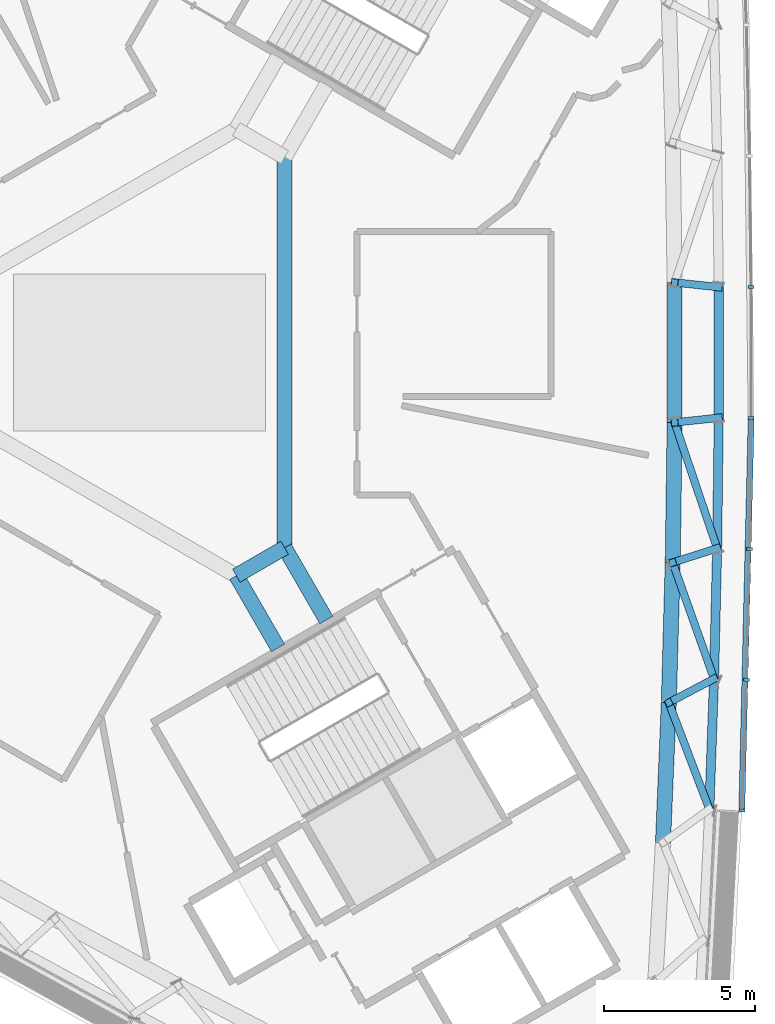
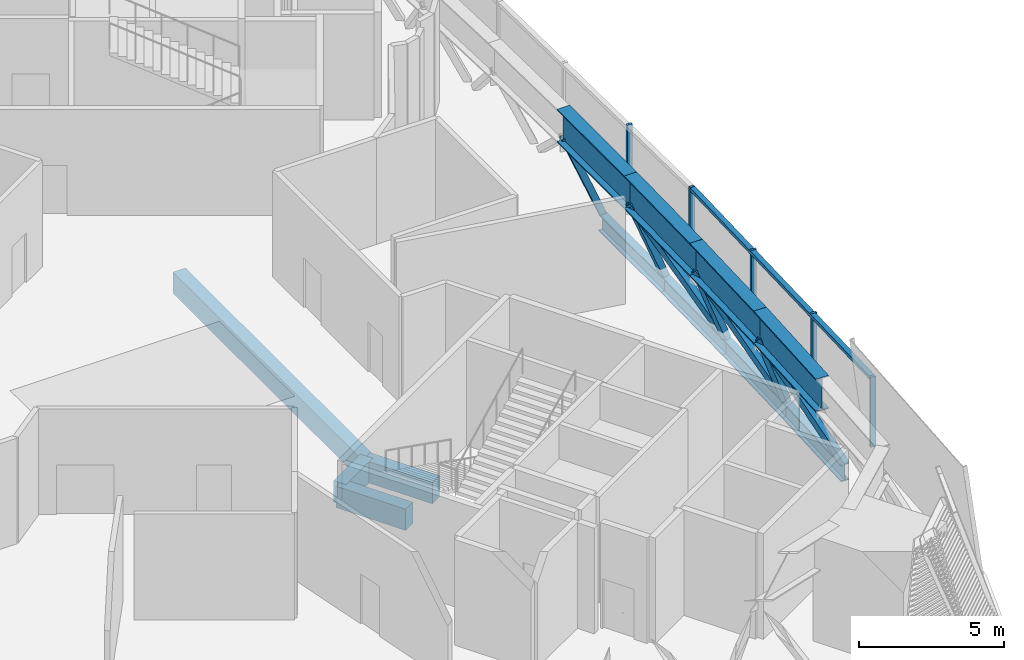
# One storey, part 2 of 18: 13 members, 12 beams, 1 element without a shape of its own.
"""IFC4 building model written with IfcOpenShell, lengths in metres."""

import ifcopenshell
import ifcopenshell.guid

model = None  # the IFC model being written
_history = None  # IfcOwnerHistory: only IFC2X3 demands one
_inside = {}  # id of a spatial element -> (the spatial element, [elements in it])
_under = {}  # id of a project, library or spatial element -> (it, [spatial elements below it])
_declared = {}  # id of a project -> (the project, [libraries it declares])
_typed = {}  # id of a type object -> (the type object, [elements of that type])
_made_of = {}  # id of a material, layer set ... -> (it, [elements and type objects made of it])


def new_model(schema):
    """Start an empty IFC model of exactly this schema.

    Asked for "IFC4X3", IfcOpenShell would pick the latest addendum, in which some entities
    have other attributes; the version numbers below select the first issue.
    IFC2X3 requires an IfcOwnerHistory on every rooted entity: one is made here for all.
    """
    global model, _history
    if schema == "IFC4X3":
        model = ifcopenshell.file(schema_version=(4, 3, 0, 0))
    else:
        model = ifcopenshell.file(schema=schema)
    _inside.clear()
    _under.clear()
    _declared.clear()
    _typed.clear()
    _made_of.clear()
    _history = None
    if model.schema == "IFC2X3":
        org = make("IfcOrganization", Name="unknown")
        user = make(
            "IfcPersonAndOrganization",
            ThePerson=make("IfcPerson", FamilyName="unknown"),
            TheOrganization=org,
        )
        app = make(
            "IfcApplication",
            ApplicationDeveloper=org,
            Version="unknown",
            ApplicationFullName="unknown",
            ApplicationIdentifier="unknown",
        )
        _history = make(
            "IfcOwnerHistory",
            OwningUser=user,
            OwningApplication=app,
            ChangeAction="ADDED",
            CreationDate=0,
        )
    return model


def make(cls, **values):
    """One entity of the class cls with the attributes given. An attribute that is None is left unset."""
    return model.create_entity(
        cls, **{name: value for name, value in values.items() if value is not None}
    )


def rooted(cls, **values):
    """An entity with a GlobalId (a new one), such as an element, a storey or a relation."""
    return make(cls, GlobalId=ifcopenshell.guid.new(), OwnerHistory=_history, **values)


def si_unit(unit_type, name, prefix=None):
    """IfcSIUnit, for example si_unit("LENGTHUNIT", "METRE", prefix="MILLI")."""
    return make("IfcSIUnit", UnitType=unit_type, Prefix=prefix, Name=name)


def assignment(units):
    """IfcUnitAssignment: the units of a project."""
    return None if units is None else make("IfcUnitAssignment", Units=units)


def point(xyz):
    """IfcCartesianPoint."""
    return None if xyz is None else make("IfcCartesianPoint", Coordinates=xyz)


def direction(xyz):
    """IfcDirection."""
    return None if xyz is None else make("IfcDirection", DirectionRatios=xyz)


def frame(location, z_axis=None, x_axis=None):
    """IfcAxis2Placement3D, a coordinate frame: its origin and axes. An axis left out is left unset."""
    return make(
        "IfcAxis2Placement3D",
        Location=point(location),
        Axis=direction(z_axis),
        RefDirection=direction(x_axis),
    )


def frame_2d(location, x_axis=None):
    """IfcAxis2Placement2D, a coordinate frame in the plane: its origin and x axis."""
    return make(
        "IfcAxis2Placement2D", Location=point(location), RefDirection=direction(x_axis)
    )


def origin():
    """The frame at (0, 0, 0) with its axes left unset."""
    return frame((0.0, 0.0, 0.0))


def origin_2d():
    """The frame at (0, 0) in the plane with its x axis left unset."""
    return frame_2d((0.0, 0.0))


def place(relative_to, where):
    """IfcLocalPlacement: puts the frame where relative to a parent placement (None: the world)."""
    return make(
        "IfcLocalPlacement", PlacementRelTo=relative_to, RelativePlacement=where
    )


def context(
    kind, dimensions, precision=None, world=None, true_north=None, identifier=None
):
    """IfcGeometricRepresentationContext, for example the 3D "Model" context."""
    return make(
        "IfcGeometricRepresentationContext",
        ContextIdentifier=identifier,
        ContextType=kind,
        CoordinateSpaceDimension=dimensions,
        Precision=precision,
        WorldCoordinateSystem=world,
        TrueNorth=true_north,
    )


def subcontext(parent, identifier, kind, view, scale=None):
    """IfcGeometricRepresentationSubContext, for example "Body" below "Model"."""
    return make(
        "IfcGeometricRepresentationSubContext",
        ContextIdentifier=identifier,
        ContextType=kind,
        ParentContext=parent,
        TargetScale=scale,
        TargetView=view,
    )


def project(units=None, contexts=None):
    """IfcProject with its units and contexts."""
    return rooted(
        "IfcProject",
        Name="project",
        RepresentationContexts=contexts,
        UnitsInContext=assignment(units),
    )


def spatial(cls, under=None, at=None, **own):
    """A site, building, storey or space (cls), placed at a placement, below another one or the project."""
    s = rooted(cls, ObjectPlacement=at, **own)
    if under is not None:
        _under.setdefault(under.id(), (under, []))[1].append(s)
    return s


def profile(cls, at=None, kind="AREA", **sizes):
    """A parametric profile (cls). Its sizes go by their IFC names, for example OverallWidth=200.0."""
    return make(cls, ProfileType=kind, Position=at, **sizes)


def rectangle(**sizes):
    """IfcRectangleProfileDef."""
    return profile("IfcRectangleProfileDef", **sizes)


def hollow_rectangle(**sizes):
    """IfcRectangleHollowProfileDef."""
    return profile("IfcRectangleHollowProfileDef", **sizes)


def i_section(**sizes):
    """IfcIShapeProfileDef."""
    return profile("IfcIShapeProfileDef", **sizes)


def extrude(swept, where, along, depth):
    """IfcExtrudedAreaSolid: the profile swept, set in the frame where, extruded along a direction by depth."""
    return make(
        "IfcExtrudedAreaSolid",
        SweptArea=swept,
        Position=where,
        ExtrudedDirection=direction(along),
        Depth=depth,
    )


def shape(context_of_items, identifier, shape_type, items):
    """IfcShapeRepresentation: the items that make up one representation, for example the "Body"."""
    return make(
        "IfcShapeRepresentation",
        ContextOfItems=context_of_items,
        RepresentationIdentifier=identifier,
        RepresentationType=shape_type,
        Items=items,
    )


def material(Name=None, Category=None):
    """IfcMaterial."""
    return make("IfcMaterial", Name=Name, Category=Category)


def material_profile(
    of_material, cross_section, Name=None, Category=None, Priority=None
):
    """IfcMaterialProfile: a cross section and its material."""
    return make(
        "IfcMaterialProfile",
        Name=Name,
        Material=of_material,
        Profile=cross_section,
        Priority=Priority,
        Category=Category,
    )


def profile_set(profiles, Name=None, composite=None):
    """IfcMaterialProfileSet."""
    return make(
        "IfcMaterialProfileSet",
        Name=Name,
        MaterialProfiles=profiles,
        CompositeProfile=composite,
    )


def made_of(thing, what):
    """Note that an element or type object is made of a material, layer set ...; save() writes the relation."""
    if what is not None:
        _made_of.setdefault(what.id(), (what, []))[1].append(thing)
    return thing


def type_object(cls, material=None, **own):
    """A type object (cls), such as IfcWallType, which elements share."""
    return made_of(rooted(cls, **own), material)


def element(
    cls,
    number,
    at=None,
    inside=None,
    cuts=None,
    type_object=None,
    material=None,
    context=None,
    identifier="Body",
    shape_type=None,
    held_by="IfcProductDefinitionShape",
    body=None,
    shapes=None,
    **own,
):
    """One element of the class cls, such as IfcWall. Its Tag is "e" and its number.

    at: its placement. inside: the storey or other place that contains it. cuts: it is an
    opening in that element (IfcRelVoidsElement). A single representation is given by context,
    identifier, shape_type and body (its items); several are given by shapes. held_by: the class
    of the entity that holds the representations. save() writes the other relations.
    """
    e = rooted(cls, Tag="e%d" % number, ObjectPlacement=at, **own)
    if body is not None:
        shapes = [shape(context, identifier, shape_type, body)]
    if shapes is not None:
        e.Representation = make(held_by, Representations=shapes)
    if inside is not None:
        _inside.setdefault(inside.id(), (inside, []))[1].append(e)
    if cuts is not None:
        rooted(
            "IfcRelVoidsElement", RelatingBuildingElement=cuts, RelatedOpeningElement=e
        )
    if type_object is not None:
        _typed.setdefault(type_object.id(), (type_object, []))[1].append(e)
    return made_of(e, material)


def aggregate(whole, parts):
    """IfcRelAggregates: a whole, such as a stair, and the parts it consists of."""
    return rooted("IfcRelAggregates", RelatingObject=whole, RelatedObjects=parts)


def save(model, path):
    """Write the relations noted so far, then the file.

    IfcRelAggregates (storeys below a building ...), IfcRelContainedInSpatialStructure (elements
    in a storey), IfcRelDefinesByType, IfcRelAssociatesMaterial and IfcRelDeclares: one each for
    every whole, place, type object, material and project.
    """
    for whole, parts in _under.values():
        aggregate(whole, parts)
    for where, things in _inside.values():
        rooted(
            "IfcRelContainedInSpatialStructure",
            RelatedElements=things,
            RelatingStructure=where,
        )
    for kind, things in _typed.values():
        rooted("IfcRelDefinesByType", RelatedObjects=things, RelatingType=kind)
    for what, things in _made_of.values():
        rooted("IfcRelAssociatesMaterial", RelatedObjects=things, RelatingMaterial=what)
    for by, libraries in _declared.values():
        rooted("IfcRelDeclares", RelatingContext=by, RelatedDefinitions=libraries)
    model.write(path)


model = new_model("IFC4")

# Units and contexts
model_context = context("Model", 3, precision=1e-05, world=origin(), true_north=direction((0.0, 1.0)))
body_context = subcontext(model_context, "Body", "Model", "MODEL_VIEW")
ifc_project = project(units=[si_unit("LENGTHUNIT", "METRE"), si_unit("AREAUNIT", "SQUARE_METRE"), si_unit("VOLUMEUNIT", "CUBIC_METRE"), si_unit("PLANEANGLEUNIT", "RADIAN"), si_unit("MASSUNIT", "GRAM", prefix="KILO")], contexts=[model_context])

# Site, building, storey
site_placement = place(None, origin())
site = spatial("IfcSite", under=ifc_project, at=site_placement, CompositionType="ELEMENT")
building_placement = place(site_placement, origin())
building = spatial("IfcBuilding", under=site, at=building_placement, Name="Tamra Quay Hotel Tower", CompositionType="ELEMENT")
storey_placement = place(building_placement, frame((0.0, 0.0, 164.800048828125)))
storey = spatial("IfcBuildingStorey", under=building, at=storey_placement, Name="L41", CompositionType="ELEMENT", Elevation=164.800048828125)

# Beams
ifc_material_1 = material(Name="Concrete M60", Category="concrete")
ifc_material_profile_1 = material_profile(ifc_material_1, rectangle(XDim=0.5, YDim=0.89990234375, at=origin_2d()), Name="ATRIUM EDGE BEAM RC 500x900")
ifc_profile_set_1 = profile_set([ifc_material_profile_1], Name="Concrete M60")
beam_type_1 = type_object("IfcBeamType", Name="ATRIUM EDGE BEAM RC 500x900", PredefinedType="BEAM", material=ifc_profile_set_1)
beam_1_placement = place(storey_placement, frame((4.800048828125, 6.46630859375, -0.85009765625), z_axis=(0.0, -1.0, 0.0), x_axis=(1.0, 0.0, 0.0)))
element("IfcBeam", 1, at=beam_1_placement, inside=storey, type_object=beam_type_1, Name="BM-AB0-L41", PredefinedType="BEAM", context=body_context, shape_type="SweptSolid", body=[
    extrude(rectangle(XDim=0.5, YDim=0.89990234375, at=origin_2d()), origin(), (0.0, 0.0, 1.0), 12.9326171875),
])
beam_2_placement = place(storey_placement, frame((4.800048828125, -6.46630859375, -0.85009765625), z_axis=(-0.86602275259, -0.500004591975, 0.0), x_axis=(0.500004591975, -0.86602275259, 0.0)))
element("IfcBeam", 2, at=beam_2_placement, inside=storey, type_object=beam_type_1, Name="BM-AB1-L41", PredefinedType="BEAM", context=body_context, shape_type="SweptSolid", body=[
    extrude(rectangle(XDim=0.5, YDim=0.89990234375, at=origin_2d()), origin(), (0.0, 0.0, 1.0), 1.84765625),
])
ifc_material_profile_2 = material_profile(ifc_material_1, rectangle(XDim=0.5, YDim=0.89990234375, at=origin_2d()), Name="ATRIUM TIE BEAM RC 500x900")
ifc_profile_set_2 = profile_set([ifc_material_profile_2], Name="Concrete M60")
beam_type_2 = type_object("IfcBeamType", Name="ATRIUM TIE BEAM RC 500x900", PredefinedType="BEAM", material=ifc_profile_set_2)
for number, where, z_axis, x_axis, name in (
    (3, (4.800048828125, -6.46630859375, -0.85009765625), (0.500008091576, -0.86602073206, 0.0), (0.86602073206, 0.500008091576, 0.0), "BM-TIE-1-L41"),
    (4, (3.199951171875, -7.39013671875, -0.85009765625), (0.500008091576, -0.86602073206, 0.0), (0.86602073206, 0.500008091576, 0.0), "BM-TIE-2-L41"),
):
    element("IfcBeam", number, at=place(storey_placement, frame(where, z_axis=z_axis, x_axis=x_axis)), inside=storey, type_object=beam_type_2, Name=name, PredefinedType="BEAM", context=body_context, shape_type="SweptSolid", body=[
        extrude(rectangle(XDim=0.5, YDim=0.89990234375, at=origin_2d()), origin(), (0.0, 0.0, 1.0), 2.76220703125),
    ])

# Members
ifc_material_2 = material(Name="Structural steel IS 2062 E350", Category="steel")
ifc_material_profile_3 = material_profile(ifc_material_2, hollow_rectangle(XDim=0.25, YDim=0.25, WallThickness=0.010009765625, at=origin_2d()), Name="SHS 250x250x10")
ifc_profile_set_3 = profile_set([ifc_material_profile_3], Name="Structural steel IS 2062 E350")
member_type_1 = type_object("IfcMemberType", Name="BELT BRACE SHS 250x250x10 Z3", PredefinedType="BRACE", material=ifc_profile_set_3)
member_1_placement = place(storey_placement, frame((18.86083984375, -15.124267578125, -0.400146484375), z_axis=(-0.257055786748, 0.676812215227, 0.689817039379), x_axis=(-0.934844500172, -0.35505740451, 0.0)))
element("IfcMember", 5, at=member_1_placement, inside=storey, type_object=member_type_1, Name="BR-L41-004", PredefinedType="BRACE", context=body_context, shape_type="SweptSolid", body=[
    extrude(hollow_rectangle(XDim=0.25, YDim=0.25, WallThickness=0.010009765625, at=origin_2d()), origin(), (0.0, 0.0, 1.0), 5.218994140625),
])
member_2_placement = place(storey_placement, frame((19.015869140625, -10.8046875, -0.400146484375), z_axis=(-0.376263405849, -0.197952607482, 0.905119116255), x_axis=(0.465597670501, -0.884996502379, 0.0)))
element("IfcMember", 6, at=member_2_placement, inside=storey, type_object=member_type_1, Name="BR-L41-005", PredefinedType="BRACE", context=body_context, shape_type="SweptSolid", body=[
    extrude(hollow_rectangle(XDim=0.25, YDim=0.25, WallThickness=0.010009765625, at=origin_2d()), origin(), (0.0, 0.0, 1.0), 3.9775390625),
])
member_3_placement = place(storey_placement, frame((19.015869140625, -10.8046875, -0.400146484375), z_axis=(-0.251192541949, 0.706899397326, 0.661207644337), x_axis=(-0.942277562119, -0.334832788011, 0.0)))
element("IfcMember", 7, at=member_3_placement, inside=storey, type_object=member_type_1, Name="BR-L41-006", PredefinedType="BRACE", context=body_context, shape_type="SweptSolid", body=[
    extrude(hollow_rectangle(XDim=0.25, YDim=0.25, WallThickness=0.010009765625, at=origin_2d()), origin(), (0.0, 0.0, 1.0), 5.44482421875),
])
member_4_placement = place(storey_placement, frame((19.119140625, -6.483642578125, -0.400146484375), z_axis=(-0.375474688046, -0.120525816876, 0.918962614095), x_axis=(0.305635724099, -0.952148520009, 0.0)))
element("IfcMember", 8, at=member_4_placement, inside=storey, type_object=member_type_1, Name="BR-L41-007", PredefinedType="BRACE", context=body_context, shape_type="SweptSolid", body=[
    extrude(hollow_rectangle(XDim=0.25, YDim=0.25, WallThickness=0.010009765625, at=origin_2d()), origin(), (0.0, 0.0, 1.0), 3.91748046875),
])
member_5_placement = place(storey_placement, frame((19.119140625, -6.483642578125, -0.400146484375), z_axis=(-0.247570185396, 0.733000236525, 0.633576875018), x_axis=(-0.947420743459, -0.319990523084, 0.0)))
element("IfcMember", 9, at=member_5_placement, inside=storey, type_object=member_type_1, Name="BR-L41-008", PredefinedType="BRACE", context=body_context, shape_type="SweptSolid", body=[
    extrude(hollow_rectangle(XDim=0.25, YDim=0.25, WallThickness=0.010009765625, at=origin_2d()), origin(), (0.0, 0.0, 1.0), 5.68212890625),
])
for number, where, z_axis, x_axis, name in (
    (10, (19.1708984375, -2.1611328125, -0.400146484375), (-0.375175164308, -0.040506859889, 0.926068458802), (0.107344015752, -0.994221938142, 0.0), "BR-L41-009"),
    (11, (19.1708984375, 2.1611328125, -0.400146484375), (-0.375175164308, 0.040506859889, 0.926068458802), (-0.107344015752, -0.994221938142, 0.0), "BR-L41-010"),
):
    element("IfcMember", number, at=place(storey_placement, frame(where, z_axis=z_axis, x_axis=x_axis)), inside=storey, type_object=member_type_1, Name=name, PredefinedType="BRACE", context=body_context, shape_type="SweptSolid", body=[
        extrude(hollow_rectangle(XDim=0.25, YDim=0.25, WallThickness=0.010009765625, at=origin_2d()), origin(), (0.0, 0.0, 1.0), 3.887451171875),
    ])

# Beams
ifc_material_profile_4 = material_profile(ifc_material_2, i_section(OverallWidth=0.303955078125, OverallDepth=0.716064453125, WebThickness=0.02099609375, FlangeThickness=0.0400390625, at=origin_2d()), Name="WPB 700x300x300")
ifc_profile_set_4 = profile_set([ifc_material_profile_4], Name="Structural steel IS 2062 E350")
beam_type_3 = type_object("IfcBeamType", Name="BELT CHORD WPB 700x300x300 Z3", PredefinedType="BEAM", material=ifc_profile_set_4)
for number, where, z_axis, x_axis, name in (
    (12, (18.86083984375, -15.124267578125, -0.758056640625), (0.035866807647, 0.999356579059, 0.0), (-0.999356579059, 0.035866807647, 0.0), "BM-CHB-L41-002"),
    (13, (19.015869140625, -10.8046875, -0.758056640625), (0.023892832606, 0.999714525527, 0.0), (-0.999714525527, 0.023892832606, 0.0), "BM-CHB-L41-003"),
):
    element("IfcBeam", number, at=place(storey_placement, frame(where, z_axis=z_axis, x_axis=x_axis)), inside=storey, type_object=beam_type_3, Name=name, PredefinedType="BEAM", context=body_context, shape_type="SweptSolid", body=[
        extrude(i_section(OverallWidth=0.303955078125, OverallDepth=0.716064453125, WebThickness=0.02099609375, FlangeThickness=0.0400390625, at=origin_2d()), origin(), (0.0, 0.0, 1.0), 4.322265625),
    ])
beam_3_placement = place(storey_placement, frame((19.119140625, -6.483642578125, -0.758056640625), z_axis=(0.011973160331, 0.999928319147, 0.0), x_axis=(-0.999928319147, 0.011973160331, 0.0)))
element("IfcBeam", 14, at=beam_3_placement, inside=storey, type_object=beam_type_3, Name="BM-CHB-L41-004", PredefinedType="BEAM", context=body_context, shape_type="SweptSolid", body=[
    extrude(i_section(OverallWidth=0.303955078125, OverallDepth=0.716064453125, WebThickness=0.02099609375, FlangeThickness=0.0400390625, at=origin_2d()), origin(), (0.0, 0.0, 1.0), 4.32275390625),
])
beam_4_placement = place(storey_placement, frame((19.1708984375, -2.1611328125, -0.758056640625), z_axis=(0.0, 1.0, 0.0), x_axis=(-1.0, 0.0, 0.0)))
element("IfcBeam", 15, at=beam_4_placement, inside=storey, type_object=beam_type_3, Name="BM-CHB-L41-005", PredefinedType="BEAM", context=body_context, shape_type="SweptSolid", body=[
    extrude(i_section(OverallWidth=0.303955078125, OverallDepth=0.716064453125, WebThickness=0.02099609375, FlangeThickness=0.0400390625, at=origin_2d()), origin(), (0.0, 0.0, 1.0), 4.322265625),
])
ifc_material_profile_5 = material_profile(ifc_material_2, i_section(OverallWidth=0.5, OverallDepth=1.39990234375, WebThickness=0.02490234375, FlangeThickness=0.050048828125, at=origin_2d()), Name="WPG 1400x500x25x50")
ifc_profile_set_5 = profile_set([ifc_material_profile_5], Name="Structural steel IS 2062 E350")
beam_type_4 = type_object("IfcBeamType", Name="BELT TOP CHORD WPG 1400x500x25x50 Z3", PredefinedType="USERDEFINED", material=ifc_profile_set_5)
beam_5_placement = place(storey_placement, frame((17.326416015625, -16.2255859375, 3.75), z_axis=(0.041588940225, 0.999134805745, 0.0), x_axis=(-0.999134805745, 0.041588940225, 0.0)))
element("IfcBeam", 16, at=beam_5_placement, inside=storey, type_object=beam_type_4, Name="BM-CHT-L41-001", ObjectType="TRANSFER GIRDER", PredefinedType="USERDEFINED", context=body_context, shape_type="SweptSolid", body=[
    extrude(i_section(OverallWidth=0.5, OverallDepth=1.39990234375, WebThickness=0.02490234375, FlangeThickness=0.050048828125, at=origin_2d()), origin(), (0.0, 0.0, 1.0), 4.637451171875),
])
beam_6_placement = place(storey_placement, frame((17.519287109375, -11.592041015625, 3.75), z_axis=(0.027793366414, 0.999613689774, 0.0), x_axis=(-0.999613689774, 0.027793366414, 0.0)))
element("IfcBeam", 17, at=beam_6_placement, inside=storey, type_object=beam_type_4, Name="BM-CHT-L41-002", ObjectType="TRANSFER GIRDER", PredefinedType="USERDEFINED", context=body_context, shape_type="SweptSolid", body=[
    extrude(i_section(OverallWidth=0.5, OverallDepth=1.39990234375, WebThickness=0.02490234375, FlangeThickness=0.050048828125, at=origin_2d()), origin(), (0.0, 0.0, 1.0), 4.637939453125),
])
beam_7_placement = place(storey_placement, frame((17.648193359375, -6.955810546875, 3.75), z_axis=(0.013845150668, 0.999904151308, 0.0), x_axis=(-0.999904151308, 0.013845150668, 0.0)))
element("IfcBeam", 18, at=beam_7_placement, inside=storey, type_object=beam_type_4, Name="BM-CHT-L41-003", ObjectType="TRANSFER GIRDER", PredefinedType="USERDEFINED", context=body_context, shape_type="SweptSolid", body=[
    extrude(i_section(OverallWidth=0.5, OverallDepth=1.39990234375, WebThickness=0.02490234375, FlangeThickness=0.050048828125, at=origin_2d()), origin(), (0.0, 0.0, 1.0), 4.6376953125),
])
beam_8_placement = place(storey_placement, frame((17.71240234375, -2.318603515625, 3.75), z_axis=(0.0, 1.0, 0.0), x_axis=(-1.0, 0.0, 0.0)))
element("IfcBeam", 19, at=beam_8_placement, inside=storey, type_object=beam_type_4, Name="BM-CHT-L41-004", ObjectType="TRANSFER GIRDER", PredefinedType="USERDEFINED", context=body_context, shape_type="SweptSolid", body=[
    extrude(i_section(OverallWidth=0.5, OverallDepth=1.39990234375, WebThickness=0.02490234375, FlangeThickness=0.050048828125, at=origin_2d()), origin(), (0.0, 0.0, 1.0), 4.63720703125),
])

# Curtain wall, members
ifc_material_3 = material(Name="Aluminium 6063 anodised dark grey", Category="aluminium")
curtain_wall_type = type_object("IfcCurtainWallType", Name="CW1 CURTAIN WALL", PredefinedType="NOTDEFINED", material=ifc_material_3)
curtain_wall_placement = place(storey_placement, origin())
curtain_wall = element("IfcCurtainWall", 20, at=curtain_wall_placement, inside=storey, type_object=curtain_wall_type, Name="CW1 east face L41", PredefinedType="NOTDEFINED")
ifc_material_profile_6 = material_profile(ifc_material_3, rectangle(XDim=0.199951171875, YDim=0.10009765625, at=origin_2d()), Name="MULLION 100X200")
ifc_profile_set_6 = profile_set([ifc_material_profile_6], Name="Aluminium 6063 anodised dark grey")
member_type_2 = type_object("IfcMemberType", Name="MULLION CW1 Z3", PredefinedType="MULLION", material=ifc_profile_set_6)
member_6_placement = place(storey_placement, frame((19.934814453125, -15.169677734375, 0.0), z_axis=(0.0, 0.0, 1.0), x_axis=(0.999126145585, -0.041796473646, 0.0)))
member_6 = element("IfcMember", 21, at=member_6_placement, type_object=member_type_2, Name="CW1 mullion L41.E.1", PredefinedType="MULLION", context=body_context, shape_type="SweptSolid", body=[
    extrude(rectangle(XDim=0.199951171875, YDim=0.10009765625, at=origin_2d()), origin(), (0.0, 0.0, 1.0), 2.949951171875),
])
member_7_placement = place(storey_placement, frame((20.09033203125, -10.8369140625, 0.0), z_axis=(0.0, 0.0, 1.0), x_axis=(0.99955376094, -0.029871039316, 0.0)))
member_7 = element("IfcMember", 22, at=member_7_placement, type_object=member_type_2, Name="CW1 mullion L41.E.2", PredefinedType="MULLION", context=body_context, shape_type="SweptSolid", body=[
    extrude(rectangle(XDim=0.199951171875, YDim=0.10009765625, at=origin_2d()), origin(), (0.0, 0.0, 1.0), 2.949951171875),
])
member_8_placement = place(storey_placement, frame((20.19384765625, -6.502685546875, 0.0), z_axis=(0.0, 0.0, 1.0), x_axis=(0.999839296613, -0.017927100952, 0.0)))
member_8 = element("IfcMember", 23, at=member_8_placement, type_object=member_type_2, Name="CW1 mullion L41.E.3", PredefinedType="MULLION", context=body_context, shape_type="SweptSolid", body=[
    extrude(rectangle(XDim=0.199951171875, YDim=0.10009765625, at=origin_2d()), origin(), (0.0, 0.0, 1.0), 2.949951171875),
])
member_9_placement = place(storey_placement, frame((20.245849609375, -2.167724609375, 0.0), z_axis=(0.0, 0.0, 1.0), x_axis=(0.999982127536, -0.005978679514, 0.0)))
member_9 = element("IfcMember", 24, at=member_9_placement, type_object=member_type_2, Name="CW1 mullion L41.E.4", PredefinedType="MULLION", context=body_context, shape_type="SweptSolid", body=[
    extrude(rectangle(XDim=0.199951171875, YDim=0.10009765625, at=origin_2d()), origin(), (0.0, 0.0, 1.0), 2.949951171875),
])
member_10_placement = place(storey_placement, frame((20.245849609375, 2.167724609375, 0.0), z_axis=(0.0, 0.0, 1.0), x_axis=(0.999982127536, 0.005978679514, 0.0)))
member_10 = element("IfcMember", 25, at=member_10_placement, type_object=member_type_2, Name="CW1 mullion L41.E.5", PredefinedType="MULLION", context=body_context, shape_type="SweptSolid", body=[
    extrude(rectangle(XDim=0.199951171875, YDim=0.10009765625, at=origin_2d()), origin(), (0.0, 0.0, 1.0), 2.949951171875),
])
ifc_material_profile_7 = material_profile(ifc_material_3, rectangle(XDim=0.199951171875, YDim=0.139892578125, at=origin_2d()), Name="TRANSOM 200X140")
ifc_profile_set_7 = profile_set([ifc_material_profile_7], Name="Aluminium 6063 anodised dark grey")
member_type_3 = type_object("IfcMemberType", Name="TRANSOM CW1 Z3", PredefinedType="USERDEFINED", material=ifc_profile_set_7)
member_11_placement = place(storey_placement, frame((19.936767578125, -15.11962890625, 2.8798828125), z_axis=(0.023892810173, 0.999714526063, 0.0), x_axis=(-0.999714526063, 0.023892810173, 0.0)))
member_11 = element("IfcMember", 26, at=member_11_placement, type_object=member_type_3, Name="CW1 transom L41.E.1", ObjectType="TRANSOM", PredefinedType="USERDEFINED", context=body_context, shape_type="SweptSolid", body=[
    extrude(rectangle(XDim=0.199951171875, YDim=0.139892578125, at=origin_2d()), origin(), (0.0, 0.0, 1.0), 12.905517578125),
])
aggregate(curtain_wall, [member_6, member_11, member_7, member_8, member_9, member_10])

save(model, "model.ifc")
